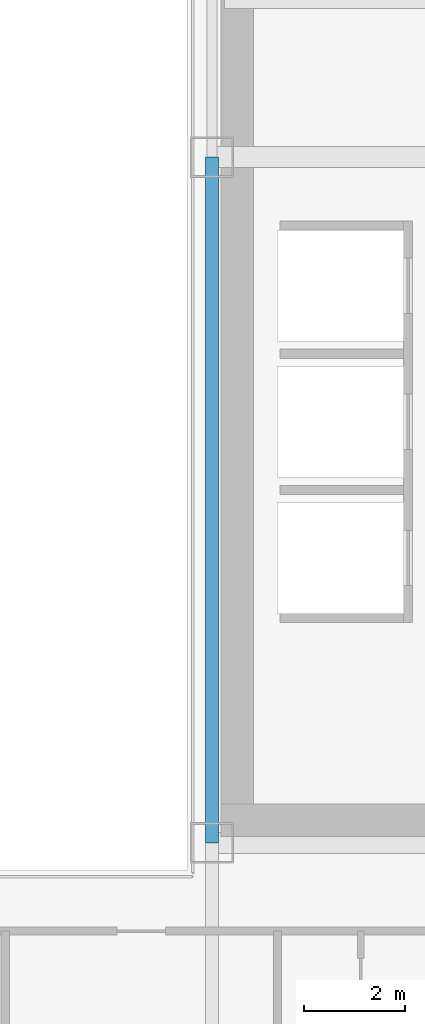
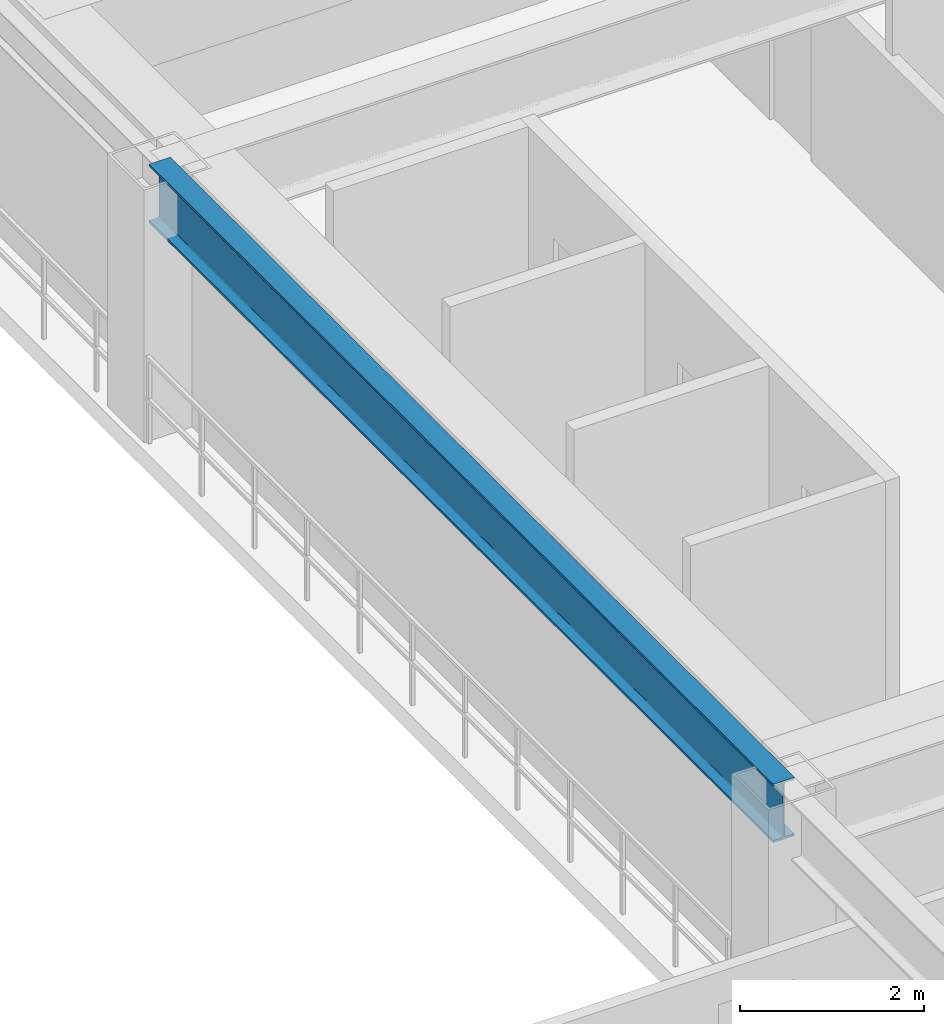
# One storey, part 12 of 35: 1 beam.
"""IFC4 building model written with IfcOpenShell, lengths in metres."""

from ifc_helpers import new_model, si_unit, direction, frame, origin, origin_2d, place, context, subcontext, project, spatial, i_section, extrude, source, transform, mapped, material, material_profile, profile_set, type_object, element, save


model = new_model("IFC4")

# Units and contexts
model_context = context("Model", 3, precision=1e-05, world=origin(), true_north=direction((0.0, 1.0)))
body_context = subcontext(model_context, "Body", "Model", "MODEL_VIEW")
ifc_project = project(units=[si_unit("LENGTHUNIT", "METRE"), si_unit("AREAUNIT", "SQUARE_METRE"), si_unit("VOLUMEUNIT", "CUBIC_METRE"), si_unit("PLANEANGLEUNIT", "RADIAN"), si_unit("MASSUNIT", "GRAM", prefix="KILO")], contexts=[model_context])

# Site, building, storey
site_placement = place(None, origin())
site = spatial("IfcSite", under=ifc_project, at=site_placement, CompositionType="ELEMENT")
building_placement = place(site_placement, origin())
building = spatial("IfcBuilding", under=site, at=building_placement, Name="Ocotamira Hotel", CompositionType="ELEMENT")
storey_placement = place(building_placement, frame((0.0, 0.0, 118.800048828125)))
storey = spatial("IfcBuildingStorey", under=building, at=storey_placement, Name="L29", CompositionType="ELEMENT", Elevation=118.800048828125)

# Beam
ifc_material = material(Name="Steel ASTM A992 Grade 50", Category="steel")
ifc_material_profile = material_profile(ifc_material, i_section(OverallWidth=0.26611328125, OverallDepth=0.779052734375, WebThickness=0.0166015625, FlangeThickness=0.030029296875, FilletRadius=0.01806640625, at=origin_2d()), Name="W30X148")
ifc_profile_set = profile_set([ifc_material_profile], Name="Steel ASTM A992 Grade 50")
beam_type = type_object("IfcBeamType", Name="BM-GIRD-W30X148", PredefinedType="BEAM", material=ifc_profile_set)
shared_shape = source(origin(), body_context, "Body", "SweptSolid", [
    extrude(i_section(OverallWidth=0.26611328125, OverallDepth=0.779052734375, WebThickness=0.0166015625, FlangeThickness=0.030029296875, FilletRadius=0.01806640625, at=origin_2d()), origin(), (0.0, 0.0, 1.0), 13.599853515625),
])
beam_placement = place(storey_placement, frame((40.5, 14.550048828125, 2.970458984375), z_axis=(0.0, 1.0, 0.0), x_axis=(-1.0, 0.0, 0.0)))
element("IfcBeam", 1, at=beam_placement, inside=storey, type_object=beam_type, Name="L29 Beam X40.5 Y14.55-28.15", PredefinedType="BEAM", context=body_context, shape_type="MappedRepresentation", body=[
    mapped(shared_shape, transform((0.0, 0.0, 0.0), scale=1.0)),
])

save(model, "model.ifc")
